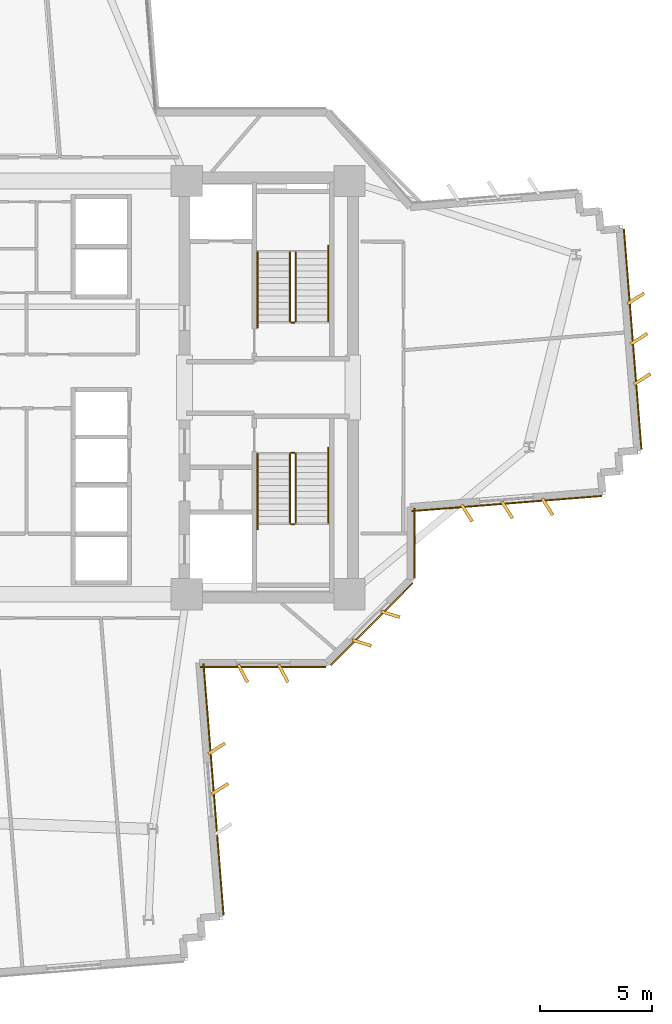
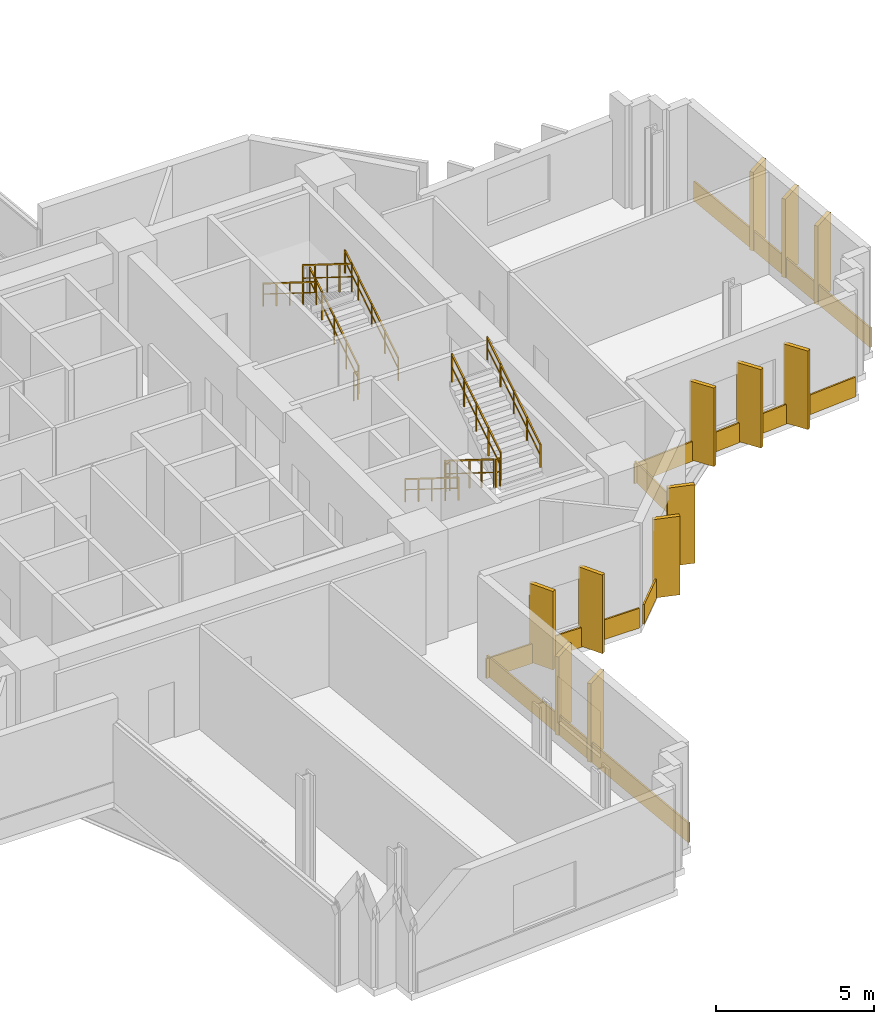
# One storey, part 13 of 15: 18 coverings, 11 railings.
"""IFC4 building model written with IfcOpenShell, lengths in metres."""

from ifc_helpers import new_model, si_unit, direction, frame, origin, origin_2d, place, context, subcontext, project, spatial, rectangle, extrude, source, transform, mapped, material, layer, layer_set, type_object, element, save


model = new_model("IFC4")

# Units and contexts
model_context = context("Model", 3, precision=1e-05, world=origin(), true_north=direction((0.0, 1.0)))
body_context = subcontext(model_context, "Body", "Model", "MODEL_VIEW")
ifc_project = project(units=[si_unit("LENGTHUNIT", "METRE"), si_unit("AREAUNIT", "SQUARE_METRE"), si_unit("VOLUMEUNIT", "CUBIC_METRE"), si_unit("PLANEANGLEUNIT", "RADIAN"), si_unit("MASSUNIT", "GRAM", prefix="KILO")], contexts=[model_context])

# Site, building, storey
site_placement = place(None, origin())
site = spatial("IfcSite", under=ifc_project, at=site_placement, CompositionType="ELEMENT")
building_placement = place(site_placement, origin())
building = spatial("IfcBuilding", under=site, at=building_placement, Name="Zahravan Cultural Tower", CompositionType="ELEMENT")
storey_placement = place(building_placement, frame((0.0, 0.0, 83.699951171875)))
storey = spatial("IfcBuildingStorey", under=building, at=storey_placement, Name="L18", CompositionType="ELEMENT", Elevation=83.699951171875)

# Railings
ifc_material_1 = material(Name="Steel ASTM A572 Grade 50", Category="steel")
railing_type_1 = type_object("IfcRailingType", Name="RL-STAIR-GRD1150", PredefinedType="BALUSTRADE", material=ifc_material_1)
railing_1_placement = place(storey_placement, frame((47.949951171875, 29.949951171875, 0.175048828125)))
element("IfcRailing", 1, at=railing_1_placement, inside=storey, type_object=railing_type_1, Name="L18 ST-E1 stair guard 1", PredefinedType="BALUSTRADE", context=body_context, shape_type="SweptSolid", body=[
    extrude(rectangle(XDim=0.05, YDim=0.05, at=origin_2d()), frame((0.0, 0.0, 1.0751953125), z_axis=(0.0, 0.847998304005, 0.529998940003), x_axis=(-1.0, 0.0, 0.0)), (0.0, 0.0, 1.0), 3.632080078125),
    extrude(rectangle(XDim=0.032, YDim=0.032, at=origin_2d()), frame((0.0, 0.0, 0.572021484375), z_axis=(0.0, 0.847998304005, 0.529998940003), x_axis=(-1.0, 0.0, 0.0)), (0.0, 0.0, 1.0), 3.632080078125),
    extrude(rectangle(XDim=0.04, YDim=0.04, at=origin_2d()), origin(), (0.0, 0.0, 1.0), 1.10009765625),
    extrude(rectangle(XDim=0.04, YDim=0.04, at=origin_2d()), frame((0.0, 0.77001953125, 0.481201171875)), (0.0, 0.0, 1.0), 1.10009765625),
    extrude(rectangle(XDim=0.04, YDim=0.04, at=origin_2d()), frame((0.0, 1.5400390625, 0.96240234375)), (0.0, 0.0, 1.0), 1.10009765625),
    extrude(rectangle(XDim=0.04, YDim=0.04, at=origin_2d()), frame((0.0, 2.31005859375, 1.44384765625)), (0.0, 0.0, 1.0), 1.10009765625),
    extrude(rectangle(XDim=0.04, YDim=0.04, at=origin_2d()), frame((0.0, 3.080078125, 1.925048828125)), (0.0, 0.0, 1.0), 1.10009765625),
])
railing_2_placement = place(storey_placement, frame((47.699951171875, 33.030029296875, 2.275146484375)))
element("IfcRailing", 2, at=railing_2_placement, inside=storey, type_object=railing_type_1, Name="L18 ST-E1 stair guard 3", PredefinedType="BALUSTRADE", context=body_context, shape_type="SweptSolid", body=[
    extrude(rectangle(XDim=0.05, YDim=0.05, at=origin_2d()), frame((0.0, 0.0, 1.0751953125), z_axis=(0.0, -0.848028513186, 0.529950602248), x_axis=(1.0, 0.0, 0.0)), (0.0, 0.0, 1.0), 3.632080078125),
    extrude(rectangle(XDim=0.032, YDim=0.032, at=origin_2d()), frame((0.0, 0.0, 0.572021484375), z_axis=(0.0, -0.848028513186, 0.529950602248), x_axis=(1.0, 0.0, 0.0)), (0.0, 0.0, 1.0), 3.632080078125),
    extrude(rectangle(XDim=0.04, YDim=0.04, at=origin_2d()), origin(), (0.0, 0.0, 1.0), 1.10009765625),
    extrude(rectangle(XDim=0.04, YDim=0.04, at=origin_2d()), frame((0.0, -0.77001953125, 0.481201171875)), (0.0, 0.0, 1.0), 1.10009765625),
    extrude(rectangle(XDim=0.04, YDim=0.04, at=origin_2d()), frame((0.0, -1.5400390625, 0.96240234375)), (0.0, 0.0, 1.0), 1.10009765625),
    extrude(rectangle(XDim=0.04, YDim=0.04, at=origin_2d()), frame((0.0, -2.31005859375, 1.443603515625)), (0.0, 0.0, 1.0), 1.10009765625),
    extrude(rectangle(XDim=0.04, YDim=0.04, at=origin_2d()), frame((0.0, -3.080078125, 1.9248046875)), (0.0, 0.0, 1.0), 1.10009765625),
])
railing_3_placement = place(storey_placement, frame((47.89990234375, 29.89990234375, 0.0)))
element("IfcRailing", 3, at=railing_3_placement, inside=storey, type_object=railing_type_1, Name="L18 ST-E1 stair guard 4", PredefinedType="BALUSTRADE", context=body_context, shape_type="SweptSolid", body=[
    extrude(rectangle(XDim=0.05, YDim=0.05, at=origin_2d()), frame((0.0, 0.0, 1.0751953125), z_axis=(-1.0, 0.0, 0.0), x_axis=(0.0, -1.0, 0.0)), (0.0, 0.0, 1.0), 0.14990234375),
    extrude(rectangle(XDim=0.032, YDim=0.032, at=origin_2d()), frame((0.0, 0.0, 0.572021484375), z_axis=(-1.0, 0.0, 0.0), x_axis=(0.0, -1.0, 0.0)), (0.0, 0.0, 1.0), 0.14990234375),
    extrude(rectangle(XDim=0.04, YDim=0.04, at=origin_2d()), origin(), (0.0, 0.0, 1.0), 1.10009765625),
    extrude(rectangle(XDim=0.04, YDim=0.04, at=origin_2d()), frame((-0.14990234375, 0.0, 0.0)), (0.0, 0.0, 1.0), 1.10009765625),
])
railing_4_placement = place(storey_placement, frame((47.699951171875, 24.050048828125, 0.175048828125)))
element("IfcRailing", 4, at=railing_4_placement, inside=storey, type_object=railing_type_1, Name="L18 ST-E2 stair guard 1", PredefinedType="BALUSTRADE", context=body_context, shape_type="SweptSolid", body=[
    extrude(rectangle(XDim=0.05, YDim=0.05, at=origin_2d()), frame((0.0, 0.0, 1.0751953125), z_axis=(0.0, -0.847998304005, 0.529998940003), x_axis=(1.0, 0.0, 0.0)), (0.0, 0.0, 1.0), 3.632080078125),
    extrude(rectangle(XDim=0.032, YDim=0.032, at=origin_2d()), frame((0.0, 0.0, 0.572021484375), z_axis=(0.0, -0.847998304005, 0.529998940003), x_axis=(1.0, 0.0, 0.0)), (0.0, 0.0, 1.0), 3.632080078125),
    extrude(rectangle(XDim=0.04, YDim=0.04, at=origin_2d()), origin(), (0.0, 0.0, 1.0), 1.10009765625),
    extrude(rectangle(XDim=0.04, YDim=0.04, at=origin_2d()), frame((0.0, -0.77001953125, 0.481201171875)), (0.0, 0.0, 1.0), 1.10009765625),
    extrude(rectangle(XDim=0.04, YDim=0.04, at=origin_2d()), frame((0.0, -1.5400390625, 0.96240234375)), (0.0, 0.0, 1.0), 1.10009765625),
    extrude(rectangle(XDim=0.04, YDim=0.04, at=origin_2d()), frame((0.0, -2.31005859375, 1.44384765625)), (0.0, 0.0, 1.0), 1.10009765625),
    extrude(rectangle(XDim=0.04, YDim=0.04, at=origin_2d()), frame((0.0, -3.080078125, 1.925048828125)), (0.0, 0.0, 1.0), 1.10009765625),
])
railing_5_placement = place(storey_placement, frame((47.75, 20.919921875, 2.10009765625)))
element("IfcRailing", 5, at=railing_5_placement, inside=storey, type_object=railing_type_1, Name="L18 ST-E2 stair guard 2", PredefinedType="BALUSTRADE", context=body_context, shape_type="SweptSolid", body=[
    extrude(rectangle(XDim=0.05, YDim=0.05, at=origin_2d()), frame((0.0, 0.0, 1.0751953125), z_axis=(1.0, 0.0, 0.0), x_axis=(0.0, 1.0, 0.0)), (0.0, 0.0, 1.0), 0.14990234375),
    extrude(rectangle(XDim=0.032, YDim=0.032, at=origin_2d()), frame((0.0, 0.0, 0.572021484375), z_axis=(1.0, 0.0, 0.0), x_axis=(0.0, 1.0, 0.0)), (0.0, 0.0, 1.0), 0.14990234375),
    extrude(rectangle(XDim=0.04, YDim=0.04, at=origin_2d()), origin(), (0.0, 0.0, 1.0), 1.10009765625),
    extrude(rectangle(XDim=0.04, YDim=0.04, at=origin_2d()), frame((0.14990234375, 0.0, 0.0)), (0.0, 0.0, 1.0), 1.10009765625),
])
railing_6_placement = place(storey_placement, frame((47.949951171875, 20.969970703125, 2.275146484375)))
element("IfcRailing", 6, at=railing_6_placement, inside=storey, type_object=railing_type_1, Name="L18 ST-E2 stair guard 3", PredefinedType="BALUSTRADE", context=body_context, shape_type="SweptSolid", body=[
    extrude(rectangle(XDim=0.05, YDim=0.05, at=origin_2d()), frame((0.0, 0.0, 1.0751953125), z_axis=(0.0, 0.848028513186, 0.529950602248), x_axis=(-1.0, 0.0, 0.0)), (0.0, 0.0, 1.0), 3.632080078125),
    extrude(rectangle(XDim=0.032, YDim=0.032, at=origin_2d()), frame((0.0, 0.0, 0.572021484375), z_axis=(0.0, 0.848028513186, 0.529950602248), x_axis=(-1.0, 0.0, 0.0)), (0.0, 0.0, 1.0), 3.632080078125),
    extrude(rectangle(XDim=0.04, YDim=0.04, at=origin_2d()), origin(), (0.0, 0.0, 1.0), 1.10009765625),
    extrude(rectangle(XDim=0.04, YDim=0.04, at=origin_2d()), frame((0.0, 0.77001953125, 0.481201171875)), (0.0, 0.0, 1.0), 1.10009765625),
    extrude(rectangle(XDim=0.04, YDim=0.04, at=origin_2d()), frame((0.0, 1.5400390625, 0.96240234375)), (0.0, 0.0, 1.0), 1.10009765625),
    extrude(rectangle(XDim=0.04, YDim=0.04, at=origin_2d()), frame((0.0, 2.31005859375, 1.443603515625)), (0.0, 0.0, 1.0), 1.10009765625),
    extrude(rectangle(XDim=0.04, YDim=0.04, at=origin_2d()), frame((0.0, 3.080078125, 1.9248046875)), (0.0, 0.0, 1.0), 1.10009765625),
])
railing_7_placement = place(storey_placement, frame((47.75, 24.10009765625, 0.0)))
element("IfcRailing", 7, at=railing_7_placement, inside=storey, type_object=railing_type_1, Name="L18 ST-E2 stair guard 4", PredefinedType="BALUSTRADE", context=body_context, shape_type="SweptSolid", body=[
    extrude(rectangle(XDim=0.05, YDim=0.05, at=origin_2d()), frame((0.0, 0.0, 1.0751953125), z_axis=(1.0, 0.0, 0.0), x_axis=(0.0, 1.0, 0.0)), (0.0, 0.0, 1.0), 0.14990234375),
    extrude(rectangle(XDim=0.032, YDim=0.032, at=origin_2d()), frame((0.0, 0.0, 0.572021484375), z_axis=(1.0, 0.0, 0.0), x_axis=(0.0, 1.0, 0.0)), (0.0, 0.0, 1.0), 0.14990234375),
    extrude(rectangle(XDim=0.04, YDim=0.04, at=origin_2d()), origin(), (0.0, 0.0, 1.0), 1.10009765625),
    extrude(rectangle(XDim=0.04, YDim=0.04, at=origin_2d()), frame((0.14990234375, 0.0, 0.0)), (0.0, 0.0, 1.0), 1.10009765625),
])
railing_type_2 = type_object("IfcRailingType", Name="RL-STAIR-HR900", PredefinedType="HANDRAIL", material=ifc_material_1)
railing_8_placement = place(storey_placement, frame((49.39990234375, 29.949951171875, 0.175048828125)))
element("IfcRailing", 8, at=railing_8_placement, inside=storey, type_object=railing_type_2, Name="L18 ST-E1 stair handrail 1", PredefinedType="HANDRAIL", context=body_context, shape_type="SweptSolid", body=[
    extrude(rectangle(XDim=0.05, YDim=0.05, at=origin_2d()), frame((0.0, 0.0, 0.875), z_axis=(0.0, 0.847994842521, 0.530004478338), x_axis=(-1.0, 0.0, 0.0)), (0.0, 0.0, 1.0), 3.96240234375),
    extrude(rectangle(XDim=0.032, YDim=0.032, at=origin_2d()), frame((0.0, 0.0, 0.468017578125), z_axis=(0.0, 0.847994842521, 0.530004478338), x_axis=(-1.0, 0.0, 0.0)), (0.0, 0.0, 1.0), 3.96240234375),
    extrude(rectangle(XDim=0.04, YDim=0.04, at=origin_2d()), origin(), (0.0, 0.0, 1.0), 0.89990234375),
    extrude(rectangle(XDim=0.04, YDim=0.04, at=origin_2d()), frame((0.0, 0.840087890625, 0.52490234375)), (0.0, 0.0, 1.0), 0.89990234375),
    extrude(rectangle(XDim=0.04, YDim=0.04, at=origin_2d()), frame((0.0, 1.68017578125, 1.050048828125)), (0.0, 0.0, 1.0), 0.89990234375),
    extrude(rectangle(XDim=0.04, YDim=0.04, at=origin_2d()), frame((0.0, 2.52001953125, 1.5751953125)), (0.0, 0.0, 1.0), 0.89990234375),
    extrude(rectangle(XDim=0.04, YDim=0.04, at=origin_2d()), frame((0.0, 3.360107421875, 2.10009765625)), (0.0, 0.0, 1.0), 0.89990234375),
])
railing_9_placement = place(storey_placement, frame((46.25, 33.030029296875, 2.275146484375)))
element("IfcRailing", 9, at=railing_9_placement, inside=storey, type_object=railing_type_2, Name="L18 ST-E1 stair handrail 2", PredefinedType="HANDRAIL", context=body_context, shape_type="SweptSolid", body=[
    extrude(rectangle(XDim=0.05, YDim=0.05, at=origin_2d()), frame((0.0, 0.0, 0.875), z_axis=(0.0, -0.848022534174, 0.529960169762), x_axis=(1.0, 0.0, 0.0)), (0.0, 0.0, 1.0), 3.96240234375),
    extrude(rectangle(XDim=0.032, YDim=0.032, at=origin_2d()), frame((0.0, 0.0, 0.468017578125), z_axis=(0.0, -0.848022534174, 0.529960169762), x_axis=(1.0, 0.0, 0.0)), (0.0, 0.0, 1.0), 3.96240234375),
    extrude(rectangle(XDim=0.04, YDim=0.04, at=origin_2d()), origin(), (0.0, 0.0, 1.0), 0.89990234375),
    extrude(rectangle(XDim=0.04, YDim=0.04, at=origin_2d()), frame((0.0, -0.840087890625, 0.52490234375)), (0.0, 0.0, 1.0), 0.89990234375),
    extrude(rectangle(XDim=0.04, YDim=0.04, at=origin_2d()), frame((0.0, -1.68017578125, 1.0498046875)), (0.0, 0.0, 1.0), 0.89990234375),
    extrude(rectangle(XDim=0.04, YDim=0.04, at=origin_2d()), frame((0.0, -2.52001953125, 1.574951171875)), (0.0, 0.0, 1.0), 0.89990234375),
    extrude(rectangle(XDim=0.04, YDim=0.04, at=origin_2d()), frame((0.0, -3.360107421875, 2.099853515625)), (0.0, 0.0, 1.0), 0.89990234375),
])
railing_10_placement = place(storey_placement, frame((46.25, 24.050048828125, 0.175048828125)))
element("IfcRailing", 10, at=railing_10_placement, inside=storey, type_object=railing_type_2, Name="L18 ST-E2 stair handrail 1", PredefinedType="HANDRAIL", context=body_context, shape_type="SweptSolid", body=[
    extrude(rectangle(XDim=0.05, YDim=0.05, at=origin_2d()), frame((0.0, 0.0, 0.875), z_axis=(0.0, -0.847994842521, 0.530004478338), x_axis=(1.0, 0.0, 0.0)), (0.0, 0.0, 1.0), 3.96240234375),
    extrude(rectangle(XDim=0.032, YDim=0.032, at=origin_2d()), frame((0.0, 0.0, 0.468017578125), z_axis=(0.0, -0.847994842521, 0.530004478338), x_axis=(1.0, 0.0, 0.0)), (0.0, 0.0, 1.0), 3.96240234375),
    extrude(rectangle(XDim=0.04, YDim=0.04, at=origin_2d()), origin(), (0.0, 0.0, 1.0), 0.89990234375),
    extrude(rectangle(XDim=0.04, YDim=0.04, at=origin_2d()), frame((0.0, -0.840087890625, 0.52490234375)), (0.0, 0.0, 1.0), 0.89990234375),
    extrude(rectangle(XDim=0.04, YDim=0.04, at=origin_2d()), frame((0.0, -1.68017578125, 1.050048828125)), (0.0, 0.0, 1.0), 0.89990234375),
    extrude(rectangle(XDim=0.04, YDim=0.04, at=origin_2d()), frame((0.0, -2.52001953125, 1.5751953125)), (0.0, 0.0, 1.0), 0.89990234375),
    extrude(rectangle(XDim=0.04, YDim=0.04, at=origin_2d()), frame((0.0, -3.360107421875, 2.10009765625)), (0.0, 0.0, 1.0), 0.89990234375),
])
railing_11_placement = place(storey_placement, frame((49.39990234375, 20.969970703125, 2.275146484375)))
element("IfcRailing", 11, at=railing_11_placement, inside=storey, type_object=railing_type_2, Name="L18 ST-E2 stair handrail 2", PredefinedType="HANDRAIL", context=body_context, shape_type="SweptSolid", body=[
    extrude(rectangle(XDim=0.05, YDim=0.05, at=origin_2d()), frame((0.0, 0.0, 0.875), z_axis=(0.0, 0.848022534174, 0.529960169762), x_axis=(-1.0, 0.0, 0.0)), (0.0, 0.0, 1.0), 3.96240234375),
    extrude(rectangle(XDim=0.032, YDim=0.032, at=origin_2d()), frame((0.0, 0.0, 0.468017578125), z_axis=(0.0, 0.848022534174, 0.529960169762), x_axis=(-1.0, 0.0, 0.0)), (0.0, 0.0, 1.0), 3.96240234375),
    extrude(rectangle(XDim=0.04, YDim=0.04, at=origin_2d()), origin(), (0.0, 0.0, 1.0), 0.89990234375),
    extrude(rectangle(XDim=0.04, YDim=0.04, at=origin_2d()), frame((0.0, 0.840087890625, 0.52490234375)), (0.0, 0.0, 1.0), 0.89990234375),
    extrude(rectangle(XDim=0.04, YDim=0.04, at=origin_2d()), frame((0.0, 1.68017578125, 1.0498046875)), (0.0, 0.0, 1.0), 0.89990234375),
    extrude(rectangle(XDim=0.04, YDim=0.04, at=origin_2d()), frame((0.0, 2.52001953125, 1.574951171875)), (0.0, 0.0, 1.0), 0.89990234375),
    extrude(rectangle(XDim=0.04, YDim=0.04, at=origin_2d()), frame((0.0, 3.360107421875, 2.099853515625)), (0.0, 0.0, 1.0), 0.89990234375),
])

# Coverings
ifc_material_2 = material(Name="Terracotta ceramic cladding", Category="masonry")
ifc_layer = layer(ifc_material_2, 0.06005859375)
ifc_layer_set = layer_set([ifc_layer], Name="Terracotta ceramic cladding")
covering_type = type_object("IfcCoveringType", Name="COV-CLAD-TC60", PredefinedType="CLADDING", material=ifc_layer_set)
shared_shape_1 = source(origin(), body_context, "Body", "SweptSolid", [
    extrude(rectangle(XDim=9.820068359375, YDim=0.06005859375, at=origin_2d()), origin(), (0.0, 0.0, 1.0), 0.760009765625),
])
covering_1_placement = place(storey_placement, frame((62.95947265625, 29.150146484375, 0.02001953125), z_axis=(0.0, 0.0, 1.0), x_axis=(0.079503021908, -0.996834624954, 0.0)))
element("IfcCovering", 12, at=covering_1_placement, inside=storey, type_object=covering_type, Name="L18 Terracotta Spandrel Cladding 06", PredefinedType="CLADDING", context=body_context, shape_type="MappedRepresentation", body=[
    mapped(shared_shape_1, transform((0.0, 0.0, 0.0), x_axis=(1.0, 0.0, 0.0), y_axis=(0.0, 1.0, 0.0), z_axis=(0.0, 0.0, 1.0), scale=1.0)),
])
shared_shape_2 = source(origin(), body_context, "Body", "SweptSolid", [
    extrude(rectangle(XDim=5.157958984375, YDim=0.06005859375, at=origin_2d()), origin(), (0.0, 0.0, 1.0), 0.760009765625),
])
covering_2_placement = place(storey_placement, frame((51.331787109375, 16.46826171875, 0.02001953125), z_axis=(0.0, 0.0, 1.0), x_axis=(-0.707106781187, -0.707106781187, 0.0)))
element("IfcCovering", 13, at=covering_2_placement, inside=storey, type_object=covering_type, Name="L18 Terracotta Spandrel Cladding 13", PredefinedType="CLADDING", context=body_context, shape_type="MappedRepresentation", body=[
    mapped(shared_shape_2, transform((0.0, 0.0, 0.0), x_axis=(1.0, 0.0, 0.0), y_axis=(0.0, 1.0, 0.0), z_axis=(0.0, 0.0, 1.0), scale=1.0)),
])
shared_shape_3 = source(origin(), body_context, "Body", "SweptSolid", [
    extrude(rectangle(XDim=0.8798828125, YDim=0.139892578125, at=origin_2d()), origin(), (0.0, 0.0, 1.0), 3.030029296875),
])
for number, where, z_axis, x_axis, name in (
    (14, (63.100341796875, 30.967041015625, 0.0498046875), (0.0, 0.0, 1.0), (0.842828324641, 0.538182511035, 0.0), "L18 Herringbone Terracotta Fin 04"),
    (15, (63.243408203125, 29.1728515625, 0.0498046875), (0.0, 0.0, 1.0), (0.842828324641, 0.538182511035, 0.0), "L18 Herringbone Terracotta Fin 05"),
    (16, (63.38671875, 27.37841796875, 0.0498046875), (0.0, 0.0, 1.0), (0.842828324641, 0.538182511035, 0.0), "L18 Herringbone Terracotta Fin 06"),
    (17, (59.16650390625, 21.695068359375, 0.0498046875), (0.0, 0.0, 1.0), (0.538182511035, -0.842828324641, 0.0), "L18 Herringbone Terracotta Fin 07"),
    (18, (57.372314453125, 21.552001953125, 0.0498046875), (0.0, 0.0, 1.0), (0.538182511035, -0.842828324641, 0.0), "L18 Herringbone Terracotta Fin 08"),
    (19, (55.577880859375, 21.40869140625, 0.0498046875), (0.0, 0.0, 1.0), (0.538182511035, -0.842828324641, 0.0), "L18 Herringbone Terracotta Fin 09"),
    (20, (52.169677734375, 16.903076171875, 0.0498046875), (0.0, 0.0, 1.0), (0.956304755963, -0.292371704723, 0.0), "L18 Herringbone Terracotta Fin 10"),
    (21, (50.89697265625, 15.63037109375, 0.0498046875), (0.0, 0.0, 1.0), (0.956304755963, -0.292371704723, 0.0), "L18 Herringbone Terracotta Fin 11"),
    (22, (47.400390625, 14.27001953125, 0.0498046875), (0.0, 0.0, 1.0), (0.469471562786, -0.882947592859, 0.0), "L18 Herringbone Terracotta Fin 12"),
    (23, (45.6005859375, 14.27001953125, 0.0498046875), (0.0, 0.0, 1.0), (0.469471562786, -0.882947592859, 0.0), "L18 Herringbone Terracotta Fin 13"),
    (24, (44.434814453125, 10.924560546875, 0.0498046875), (0.0, 0.0, 1.0), (0.842828324641, 0.538182511035, 0.0), "L18 Herringbone Terracotta Fin 14"),
    (25, (44.577880859375, 9.13037109375, 0.0498046875), (0.0, 0.0, 1.0), (0.842828324641, 0.538182511035, 0.0), "L18 Herringbone Terracotta Fin 15"),
):
    element("IfcCovering", number, at=place(storey_placement, frame(where, z_axis=z_axis, x_axis=x_axis)), inside=storey, type_object=covering_type, Name=name, PredefinedType="CLADDING", context=body_context, shape_type="MappedRepresentation", body=[
        mapped(shared_shape_3, transform((0.0, 0.0, 0.0), x_axis=(1.0, 0.0, 0.0), y_axis=(0.0, 1.0, 0.0), z_axis=(0.0, 0.0, 1.0), scale=1.0)),
    ])
shared_shape_4 = source(origin(), body_context, "Body", "SweptSolid", [
    extrude(rectangle(XDim=8.476806640625, YDim=0.06005859375, at=origin_2d()), origin(), (0.0, 0.0, 1.0), 0.760009765625),
])
covering_3_placement = place(storey_placement, frame((57.349609375, 21.8359375, 0.02001953125), z_axis=(0.0, 0.0, 1.0), x_axis=(-0.996834624954, -0.079503021908, 0.0)))
element("IfcCovering", 26, at=covering_3_placement, inside=storey, type_object=covering_type, Name="L18 Terracotta Spandrel Cladding 11", PredefinedType="CLADDING", context=body_context, shape_type="MappedRepresentation", body=[
    mapped(shared_shape_4, transform((0.0, 0.0, 0.0), x_axis=(1.0, 0.0, 0.0), y_axis=(0.0, 1.0, 0.0), z_axis=(0.0, 0.0, 1.0), scale=1.0)),
])
shared_shape_5 = source(origin(), body_context, "Body", "SweptSolid", [
    extrude(rectangle(XDim=3.12158203125, YDim=0.06005859375, at=origin_2d()), origin(), (0.0, 0.0, 1.0), 0.760009765625),
])
covering_4_placement = place(storey_placement, frame((53.2451171875, 20.06884765625, 0.02001953125), z_axis=(0.0, 0.0, 1.0), x_axis=(0.0, -1.0, 0.0)))
element("IfcCovering", 27, at=covering_4_placement, inside=storey, type_object=covering_type, Name="L18 Terracotta Spandrel Cladding 12", PredefinedType="CLADDING", context=body_context, shape_type="MappedRepresentation", body=[
    mapped(shared_shape_5, transform((0.0, 0.0, 0.0), x_axis=(1.0, 0.0, 0.0), y_axis=(0.0, 1.0, 0.0), z_axis=(0.0, 0.0, 1.0), scale=1.0)),
])
shared_shape_6 = source(origin(), body_context, "Body", "SweptSolid", [
    extrude(rectangle(XDim=5.5830078125, YDim=0.06005859375, at=origin_2d()), origin(), (0.0, 0.0, 1.0), 0.760009765625),
])
covering_5_placement = place(storey_placement, frame((46.50048828125, 14.554931640625, 0.02001953125), z_axis=(0.0, 0.0, 1.0), x_axis=(-1.0, 0.0, 0.0)))
element("IfcCovering", 28, at=covering_5_placement, inside=storey, type_object=covering_type, Name="L18 Terracotta Spandrel Cladding 14", PredefinedType="CLADDING", context=body_context, shape_type="MappedRepresentation", body=[
    mapped(shared_shape_6, transform((0.0, 0.0, 0.0), x_axis=(1.0, 0.0, 0.0), y_axis=(0.0, 1.0, 0.0), z_axis=(0.0, 0.0, 1.0), scale=1.0)),
])
shared_shape_7 = source(origin(), body_context, "Body", "SweptSolid", [
    extrude(rectangle(XDim=11.22998046875, YDim=0.06005859375, at=origin_2d()), origin(), (0.0, 0.0, 1.0), 0.760009765625),
])
covering_6_placement = place(storey_placement, frame((44.293701171875, 9.107666015625, 0.02001953125), z_axis=(0.0, 0.0, 1.0), x_axis=(0.079503021908, -0.996834624954, 0.0)))
element("IfcCovering", 29, at=covering_6_placement, inside=storey, type_object=covering_type, Name="L18 Terracotta Spandrel Cladding 15", PredefinedType="CLADDING", context=body_context, shape_type="MappedRepresentation", body=[
    mapped(shared_shape_7, transform((0.0, 0.0, 0.0), x_axis=(1.0, 0.0, 0.0), y_axis=(0.0, 1.0, 0.0), z_axis=(0.0, 0.0, 1.0), scale=1.0)),
])

save(model, "model.ifc")
